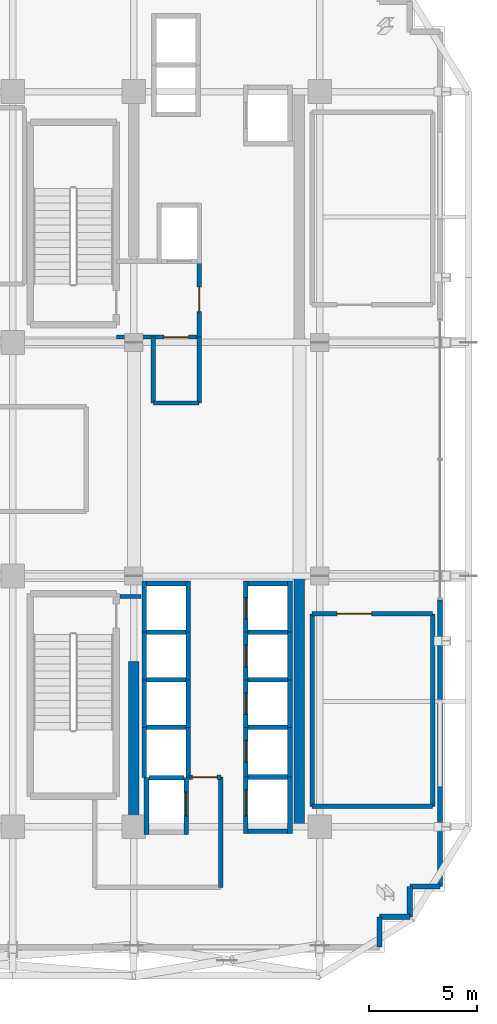
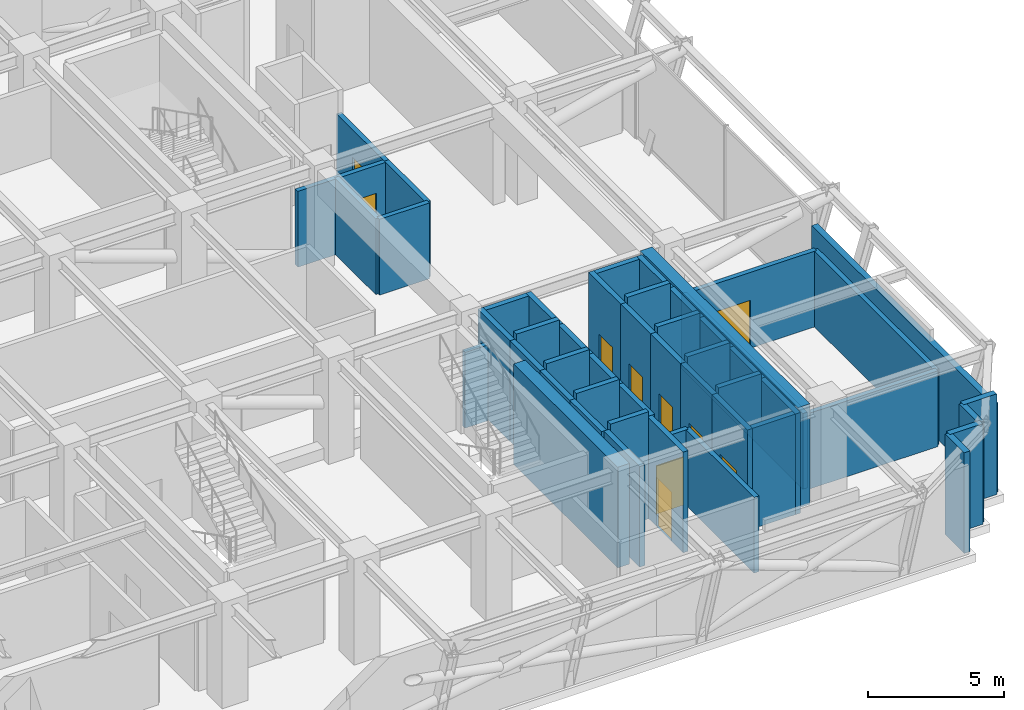
# One storey, part 10 of 16: 50 walls, 10 doors, 10 openings.
"""IFC4 building model written with IfcOpenShell, lengths in metres."""

import ifcopenshell
import ifcopenshell.guid

model = None  # the IFC model being written
_history = None  # IfcOwnerHistory: only IFC2X3 demands one
_inside = {}  # id of a spatial element -> (the spatial element, [elements in it])
_under = {}  # id of a project, library or spatial element -> (it, [spatial elements below it])
_declared = {}  # id of a project -> (the project, [libraries it declares])
_typed = {}  # id of a type object -> (the type object, [elements of that type])
_made_of = {}  # id of a material, layer set ... -> (it, [elements and type objects made of it])


def new_model(schema):
    """Start an empty IFC model of exactly this schema.

    Asked for "IFC4X3", IfcOpenShell would pick the latest addendum, in which some entities
    have other attributes; the version numbers below select the first issue.
    IFC2X3 requires an IfcOwnerHistory on every rooted entity: one is made here for all.
    """
    global model, _history
    if schema == "IFC4X3":
        model = ifcopenshell.file(schema_version=(4, 3, 0, 0))
    else:
        model = ifcopenshell.file(schema=schema)
    _inside.clear()
    _under.clear()
    _declared.clear()
    _typed.clear()
    _made_of.clear()
    _history = None
    if model.schema == "IFC2X3":
        org = make("IfcOrganization", Name="unknown")
        user = make(
            "IfcPersonAndOrganization",
            ThePerson=make("IfcPerson", FamilyName="unknown"),
            TheOrganization=org,
        )
        app = make(
            "IfcApplication",
            ApplicationDeveloper=org,
            Version="unknown",
            ApplicationFullName="unknown",
            ApplicationIdentifier="unknown",
        )
        _history = make(
            "IfcOwnerHistory",
            OwningUser=user,
            OwningApplication=app,
            ChangeAction="ADDED",
            CreationDate=0,
        )
    return model


def make(cls, **values):
    """One entity of the class cls with the attributes given. An attribute that is None is left unset."""
    return model.create_entity(
        cls, **{name: value for name, value in values.items() if value is not None}
    )


def rooted(cls, **values):
    """An entity with a GlobalId (a new one), such as an element, a storey or a relation."""
    return make(cls, GlobalId=ifcopenshell.guid.new(), OwnerHistory=_history, **values)


def si_unit(unit_type, name, prefix=None):
    """IfcSIUnit, for example si_unit("LENGTHUNIT", "METRE", prefix="MILLI")."""
    return make("IfcSIUnit", UnitType=unit_type, Prefix=prefix, Name=name)


def assignment(units):
    """IfcUnitAssignment: the units of a project."""
    return None if units is None else make("IfcUnitAssignment", Units=units)


def point(xyz):
    """IfcCartesianPoint."""
    return None if xyz is None else make("IfcCartesianPoint", Coordinates=xyz)


def direction(xyz):
    """IfcDirection."""
    return None if xyz is None else make("IfcDirection", DirectionRatios=xyz)


def frame(location, z_axis=None, x_axis=None):
    """IfcAxis2Placement3D, a coordinate frame: its origin and axes. An axis left out is left unset."""
    return make(
        "IfcAxis2Placement3D",
        Location=point(location),
        Axis=direction(z_axis),
        RefDirection=direction(x_axis),
    )


def frame_2d(location, x_axis=None):
    """IfcAxis2Placement2D, a coordinate frame in the plane: its origin and x axis."""
    return make(
        "IfcAxis2Placement2D", Location=point(location), RefDirection=direction(x_axis)
    )


def origin():
    """The frame at (0, 0, 0) with its axes left unset."""
    return frame((0.0, 0.0, 0.0))


def place(relative_to, where):
    """IfcLocalPlacement: puts the frame where relative to a parent placement (None: the world)."""
    return make(
        "IfcLocalPlacement", PlacementRelTo=relative_to, RelativePlacement=where
    )


def context(
    kind, dimensions, precision=None, world=None, true_north=None, identifier=None
):
    """IfcGeometricRepresentationContext, for example the 3D "Model" context."""
    return make(
        "IfcGeometricRepresentationContext",
        ContextIdentifier=identifier,
        ContextType=kind,
        CoordinateSpaceDimension=dimensions,
        Precision=precision,
        WorldCoordinateSystem=world,
        TrueNorth=true_north,
    )


def subcontext(parent, identifier, kind, view, scale=None):
    """IfcGeometricRepresentationSubContext, for example "Body" below "Model"."""
    return make(
        "IfcGeometricRepresentationSubContext",
        ContextIdentifier=identifier,
        ContextType=kind,
        ParentContext=parent,
        TargetScale=scale,
        TargetView=view,
    )


def project(units=None, contexts=None):
    """IfcProject with its units and contexts."""
    return rooted(
        "IfcProject",
        Name="project",
        RepresentationContexts=contexts,
        UnitsInContext=assignment(units),
    )


def spatial(cls, under=None, at=None, **own):
    """A site, building, storey or space (cls), placed at a placement, below another one or the project."""
    s = rooted(cls, ObjectPlacement=at, **own)
    if under is not None:
        _under.setdefault(under.id(), (under, []))[1].append(s)
    return s


def profile(cls, at=None, kind="AREA", **sizes):
    """A parametric profile (cls). Its sizes go by their IFC names, for example OverallWidth=200.0."""
    return make(cls, ProfileType=kind, Position=at, **sizes)


def rectangle(**sizes):
    """IfcRectangleProfileDef."""
    return profile("IfcRectangleProfileDef", **sizes)


def extrude(swept, where, along, depth):
    """IfcExtrudedAreaSolid: the profile swept, set in the frame where, extruded along a direction by depth."""
    return make(
        "IfcExtrudedAreaSolid",
        SweptArea=swept,
        Position=where,
        ExtrudedDirection=direction(along),
        Depth=depth,
    )


def shape(context_of_items, identifier, shape_type, items):
    """IfcShapeRepresentation: the items that make up one representation, for example the "Body"."""
    return make(
        "IfcShapeRepresentation",
        ContextOfItems=context_of_items,
        RepresentationIdentifier=identifier,
        RepresentationType=shape_type,
        Items=items,
    )


def source(mapping_origin, context_of_items, identifier, shape_type, items):
    """IfcRepresentationMap: a shape defined once, which mapped items show again and again."""
    return make(
        "IfcRepresentationMap",
        MappingOrigin=mapping_origin,
        MappedRepresentation=shape(context_of_items, identifier, shape_type, items),
    )


def transform(
    local_origin,
    x_axis=None,
    y_axis=None,
    z_axis=None,
    scale=None,
    scale2=None,
    scale3=None,
    uniform=True,
):
    """IfcCartesianTransformationOperator3D, or its non-uniform kind. x_axis, y_axis, z_axis: its Axis1, 2, 3."""
    if uniform:
        return make(
            "IfcCartesianTransformationOperator3D",
            Axis1=direction(x_axis),
            Axis2=direction(y_axis),
            LocalOrigin=point(local_origin),
            Scale=scale,
            Axis3=direction(z_axis),
        )
    return make(
        "IfcCartesianTransformationOperator3DnonUniform",
        Axis1=direction(x_axis),
        Axis2=direction(y_axis),
        LocalOrigin=point(local_origin),
        Scale=scale,
        Axis3=direction(z_axis),
        Scale2=scale2,
        Scale3=scale3,
    )


def mapped(mapping_source, mapping_target):
    """IfcMappedItem: shows the shape of a source again, moved by a transform."""
    return make(
        "IfcMappedItem", MappingSource=mapping_source, MappingTarget=mapping_target
    )


def material(Name=None, Category=None):
    """IfcMaterial."""
    return make("IfcMaterial", Name=Name, Category=Category)


def layer(
    of_material, thickness, ventilated=None, Name=None, Category=None, Priority=None
):
    """IfcMaterialLayer: one layer of a wall or slab, of a material (None: an air gap)."""
    return make(
        "IfcMaterialLayer",
        Material=of_material,
        LayerThickness=thickness,
        IsVentilated=ventilated,
        Name=Name,
        Category=Category,
        Priority=Priority,
    )


def layer_set(layers, Name=None):
    """IfcMaterialLayerSet."""
    return make("IfcMaterialLayerSet", MaterialLayers=layers, LayerSetName=Name)


def made_of(thing, what):
    """Note that an element or type object is made of a material, layer set ...; save() writes the relation."""
    if what is not None:
        _made_of.setdefault(what.id(), (what, []))[1].append(thing)
    return thing


def type_object(cls, material=None, **own):
    """A type object (cls), such as IfcWallType, which elements share."""
    return made_of(rooted(cls, **own), material)


def element(
    cls,
    number,
    at=None,
    inside=None,
    cuts=None,
    type_object=None,
    material=None,
    context=None,
    identifier="Body",
    shape_type=None,
    held_by="IfcProductDefinitionShape",
    body=None,
    shapes=None,
    **own,
):
    """One element of the class cls, such as IfcWall. Its Tag is "e" and its number.

    at: its placement. inside: the storey or other place that contains it. cuts: it is an
    opening in that element (IfcRelVoidsElement). A single representation is given by context,
    identifier, shape_type and body (its items); several are given by shapes. held_by: the class
    of the entity that holds the representations. save() writes the other relations.
    """
    e = rooted(cls, Tag="e%d" % number, ObjectPlacement=at, **own)
    if body is not None:
        shapes = [shape(context, identifier, shape_type, body)]
    if shapes is not None:
        e.Representation = make(held_by, Representations=shapes)
    if inside is not None:
        _inside.setdefault(inside.id(), (inside, []))[1].append(e)
    if cuts is not None:
        rooted(
            "IfcRelVoidsElement", RelatingBuildingElement=cuts, RelatedOpeningElement=e
        )
    if type_object is not None:
        _typed.setdefault(type_object.id(), (type_object, []))[1].append(e)
    return made_of(e, material)


def fill(opening, filler):
    """IfcRelFillsElement: the door or window that sits in an opening."""
    return rooted(
        "IfcRelFillsElement",
        RelatingOpeningElement=opening,
        RelatedBuildingElement=filler,
    )


def aggregate(whole, parts):
    """IfcRelAggregates: a whole, such as a stair, and the parts it consists of."""
    return rooted("IfcRelAggregates", RelatingObject=whole, RelatedObjects=parts)


def save(model, path):
    """Write the relations noted so far, then the file.

    IfcRelAggregates (storeys below a building ...), IfcRelContainedInSpatialStructure (elements
    in a storey), IfcRelDefinesByType, IfcRelAssociatesMaterial and IfcRelDeclares: one each for
    every whole, place, type object, material and project.
    """
    for whole, parts in _under.values():
        aggregate(whole, parts)
    for where, things in _inside.values():
        rooted(
            "IfcRelContainedInSpatialStructure",
            RelatedElements=things,
            RelatingStructure=where,
        )
    for kind, things in _typed.values():
        rooted("IfcRelDefinesByType", RelatedObjects=things, RelatingType=kind)
    for what, things in _made_of.values():
        rooted("IfcRelAssociatesMaterial", RelatedObjects=things, RelatingMaterial=what)
    for by, libraries in _declared.values():
        rooted("IfcRelDeclares", RelatingContext=by, RelatedDefinitions=libraries)
    model.write(path)


model = new_model("IFC4")

# Units and contexts
model_context = context("Model", 3, precision=1e-05, world=origin(), true_north=direction((0.0, 1.0)))
body_context = subcontext(model_context, "Body", "Model", "MODEL_VIEW")
ifc_project = project(units=[si_unit("LENGTHUNIT", "METRE"), si_unit("AREAUNIT", "SQUARE_METRE"), si_unit("VOLUMEUNIT", "CUBIC_METRE"), si_unit("PLANEANGLEUNIT", "RADIAN"), si_unit("MASSUNIT", "GRAM", prefix="KILO")], contexts=[model_context])

# Site, building, storey
site_placement = place(None, origin())
site = spatial("IfcSite", under=ifc_project, at=site_placement, CompositionType="ELEMENT")
building_placement = place(site_placement, origin())
building = spatial("IfcBuilding", under=site, at=building_placement, Name="Nahalor Promenade Grand Hotel", CompositionType="ELEMENT")
storey_placement = place(building_placement, frame((0.0, 0.0, 200.10009765625)))
storey = spatial("IfcBuildingStorey", under=building, at=storey_placement, Name="L51", CompositionType="ELEMENT", Elevation=200.10009765625)

# Walls
ifc_material_1 = material(Name="Concrete B-60 (C50/60)", Category="concrete")
ifc_layer_1 = layer(ifc_material_1, 0.5)
ifc_layer_set_1 = layer_set([ifc_layer_1], Name="Concrete B-60 (C50/60)")
wall_type_1 = type_object("IfcWallType", Name="Wall-CoreShear-500", PredefinedType="SHEAR", material=ifc_layer_set_1)
shared_shape_1 = source(origin(), body_context, "Body", "SweptSolid", [
    extrude(rectangle(XDim=7.64990234375, YDim=0.5, at=frame_2d((3.824951171875, 0.0))), origin(), (0.0, 0.0, 1.0), 4.510009765625),
])
wall_1_placement = place(storey_placement, frame((8.39990234375, -17.0, 0.0), z_axis=(0.0, 0.0, 1.0), x_axis=(0.0, 1.0, 0.0)))
element("IfcWall", 1, at=wall_1_placement, inside=storey, type_object=wall_type_1, Name="CWALL-L51-SW", PredefinedType="SHEAR", context=body_context, shape_type="MappedRepresentation", body=[
    mapped(shared_shape_1, transform((0.0, 0.0, 0.0), scale=1.0)),
])
shared_shape_2 = source(origin(), body_context, "Body", "SweptSolid", [
    extrude(rectangle(XDim=11.60009765625, YDim=0.5, at=frame_2d((5.800048828125, 0.0))), origin(), (0.0, 0.0, 1.0), 4.510009765625),
])
wall_2_placement = place(storey_placement, frame((16.050048828125, -17.0, 0.0), z_axis=(0.0, 0.0, 1.0), x_axis=(0.0, 1.0, 0.0)))
element("IfcWall", 2, at=wall_2_placement, inside=storey, type_object=wall_type_1, Name="CWALL-L51-SE", PredefinedType="SHEAR", context=body_context, shape_type="MappedRepresentation", body=[
    mapped(shared_shape_2, transform((0.0, 0.0, 0.0), scale=1.0)),
])

# Wall, opening, door
ifc_material_2 = material(Name="Concrete B-50 (C40/50)", Category="concrete")
ifc_layer_2 = layer(ifc_material_2, 0.219970703125)
ifc_layer_set_2 = layer_set([ifc_layer_2], Name="Concrete B-50 (C40/50)")
wall_type_2 = type_object("IfcWallType", Name="Wall-LiftShaft-220", PredefinedType="SHEAR", material=ifc_layer_set_2)
shared_shape_3 = source(origin(), body_context, "Body", "SweptSolid", [
    extrude(rectangle(XDim=2.360107421875, YDim=0.219970703125, at=frame_2d((1.18017578125, 0.0))), origin(), (0.0, 0.0, 1.0), 4.510009765625),
])
wall_3_placement = place(storey_placement, frame((13.580078125, -8.0, 0.0), z_axis=(0.0, 0.0, 1.0), x_axis=(0.0, 1.0, 0.0)))
wall_3 = element("IfcWall", 3, at=wall_3_placement, inside=storey, type_object=wall_type_2, Name="L51 Lift PL5 Hoistway Wall W", PredefinedType="SHEAR", context=body_context, shape_type="MappedRepresentation", body=[
    mapped(shared_shape_3, transform((0.0, 0.0, 0.0), scale=1.0)),
])
opening_1_placement = place(wall_3_placement, frame((0.60009765625, 0.0, 0.0)))
opening_1 = element("IfcOpeningElement", 4, at=opening_1_placement, cuts=wall_3, Name="Opening LD-01", PredefinedType="OPENING", context=body_context, shape_type="SweptSolid", body=[
    extrude(rectangle(XDim=1.0, YDim=2.199951171875, at=frame_2d((0.5, 1.10009765625))), frame((0.0, 0.119873046875, 0.0), z_axis=(0.0, -1.0, 0.0), x_axis=(1.0, 0.0, 0.0)), (0.0, 0.0, 1.0), 0.239990234375),
])
ifc_material_3 = material(Name="Steel S355JR", Category="steel")
door_type_1 = type_object("IfcDoorType", Name="Door-LiftLanding-1000", OperationType="DOUBLE_DOOR_SLIDING", PredefinedType="DOOR", material=ifc_material_3)
shared_shape_4 = source(origin(), body_context, "Body", "SweptSolid", [
    extrude(rectangle(XDim=1.0, YDim=2.199951171875, at=frame_2d((0.5, 1.10009765625))), frame((0.0, 0.02490234375, 0.0), z_axis=(0.0, -1.0, 0.0), x_axis=(1.0, 0.0, 0.0)), (0.0, 0.0, 1.0), 0.050048828125),
])
door_1_placement = place(opening_1_placement, origin())
door_1 = element("IfcDoor", 5, at=door_1_placement, inside=storey, type_object=door_type_1, Name="DR-LIFT-PL5-L51", OperationType="DOUBLE_DOOR_SLIDING", OverallHeight=2.199951171875, OverallWidth=1.0, PredefinedType="DOOR", context=body_context, shape_type="MappedRepresentation", body=[
    mapped(shared_shape_4, transform((0.0, 0.0, 0.0), scale=1.0)),
])
fill(opening_1, door_1)

# Walls
for number, where, z_axis, x_axis, name in (
    (6, (15.6201171875, -8.0, 0.0), (0.0, 0.0, 1.0), (0.0, 1.0, 0.0), "L51 Lift PL5 Hoistway Wall E"),
    (7, (8.8798828125, -8.0, 0.0), (0.0, 0.0, 1.0), (0.0, 1.0, 0.0), "L51 Lift PL9 Hoistway Wall W"),
    (8, (10.919921875, -8.0, 0.0), (0.0, 0.0, 1.0), (0.0, 1.0, 0.0), "L51 Lift PL9 Hoistway Wall E"),
):
    element("IfcWall", number, at=place(storey_placement, frame(where, z_axis=z_axis, x_axis=x_axis)), inside=storey, type_object=wall_type_2, Name=name, PredefinedType="SHEAR", context=body_context, shape_type="MappedRepresentation", body=[
        mapped(shared_shape_3, transform((0.0, 0.0, 0.0), scale=1.0)),
    ])
shared_shape_5 = source(origin(), body_context, "Body", "SweptSolid", [
    extrude(rectangle(XDim=1.820068359375, YDim=0.219970703125, at=frame_2d((0.91015625, 0.0))), origin(), (0.0, 0.0, 1.0), 4.510009765625),
])
for number, where, z_axis, x_axis, name in (
    (9, (13.68994140625, -5.75, 0.0), (0.0, 0.0, 1.0), (1.0, 0.0, 0.0), "L51 Lift PL5 Hoistway Wall N"),
    (10, (8.989990234375, -5.75, 0.0), (0.0, 0.0, 1.0), (1.0, 0.0, 0.0), "L51 Lift PL9 Hoistway Wall N"),
    (11, (13.68994140625, -17.199951171875, 0.0), (0.0, 0.0, 1.0), (1.0, 0.0, 0.0), "L51 Lift SV2 Hoistway Wall S"),
):
    element("IfcWall", number, at=place(storey_placement, frame(where, z_axis=z_axis, x_axis=x_axis)), inside=storey, type_object=wall_type_2, Name=name, PredefinedType="SHEAR", context=body_context, shape_type="MappedRepresentation", body=[
        mapped(shared_shape_5, transform((0.0, 0.0, 0.0), scale=1.0)),
    ])

# Wall, opening, door
shared_shape_6 = source(origin(), body_context, "Body", "SweptSolid", [
    extrude(rectangle(XDim=2.199951171875, YDim=0.219970703125, at=frame_2d((1.10009765625, 0.0))), origin(), (0.0, 0.0, 1.0), 4.510009765625),
])
wall_4_placement = place(storey_placement, frame((13.580078125, -10.199951171875, 0.0), z_axis=(0.0, 0.0, 1.0), x_axis=(0.0, 1.0, 0.0)))
wall_4 = element("IfcWall", 12, at=wall_4_placement, inside=storey, type_object=wall_type_2, Name="L51 Lift PL6 Hoistway Wall W", PredefinedType="SHEAR", context=body_context, shape_type="MappedRepresentation", body=[
    mapped(shared_shape_6, transform((0.0, 0.0, 0.0), scale=1.0)),
])
opening_2_placement = place(wall_4_placement, frame((0.60009765625, 0.0, 0.0)))
opening_2 = element("IfcOpeningElement", 13, at=opening_2_placement, cuts=wall_4, Name="Opening LD-01", PredefinedType="OPENING", context=body_context, shape_type="SweptSolid", body=[
    extrude(rectangle(XDim=1.0, YDim=2.199951171875, at=frame_2d((0.5, 1.10009765625))), frame((0.0, 0.119873046875, 0.0), z_axis=(0.0, -1.0, 0.0), x_axis=(1.0, 0.0, 0.0)), (0.0, 0.0, 1.0), 0.239990234375),
])
door_2_placement = place(opening_2_placement, origin())
door_2 = element("IfcDoor", 14, at=door_2_placement, inside=storey, type_object=door_type_1, Name="DR-LIFT-PL6-L51", OperationType="DOUBLE_DOOR_SLIDING", OverallHeight=2.199951171875, OverallWidth=1.0, PredefinedType="DOOR", context=body_context, shape_type="MappedRepresentation", body=[
    mapped(shared_shape_4, transform((0.0, 0.0, 0.0), scale=1.0)),
])
fill(opening_2, door_2)

# Wall
wall_5_placement = place(storey_placement, frame((15.6201171875, -10.199951171875, 0.0), z_axis=(0.0, 0.0, 1.0), x_axis=(0.0, 1.0, 0.0)))
element("IfcWall", 15, at=wall_5_placement, inside=storey, type_object=wall_type_2, Name="L51 Lift PL6 Hoistway Wall E", PredefinedType="SHEAR", context=body_context, shape_type="MappedRepresentation", body=[
    mapped(shared_shape_6, transform((0.0, 0.0, 0.0), scale=1.0)),
])

# Wall, opening, door
wall_6_placement = place(storey_placement, frame((13.580078125, -12.39990234375, 0.0), z_axis=(0.0, 0.0, 1.0), x_axis=(0.0, 1.0, 0.0)))
wall_6 = element("IfcWall", 16, at=wall_6_placement, inside=storey, type_object=wall_type_2, Name="L51 Lift PL7 Hoistway Wall W", PredefinedType="SHEAR", context=body_context, shape_type="MappedRepresentation", body=[
    mapped(shared_shape_6, transform((0.0, 0.0, 0.0), scale=1.0)),
])
opening_3_placement = place(wall_6_placement, frame((0.60009765625, 0.0, 0.0)))
opening_3 = element("IfcOpeningElement", 17, at=opening_3_placement, cuts=wall_6, Name="Opening LD-01", PredefinedType="OPENING", context=body_context, shape_type="SweptSolid", body=[
    extrude(rectangle(XDim=1.0, YDim=2.199951171875, at=frame_2d((0.5, 1.10009765625))), frame((0.0, 0.119873046875, 0.0), z_axis=(0.0, -1.0, 0.0), x_axis=(1.0, 0.0, 0.0)), (0.0, 0.0, 1.0), 0.239990234375),
])
door_3_placement = place(opening_3_placement, origin())
door_3 = element("IfcDoor", 18, at=door_3_placement, inside=storey, type_object=door_type_1, Name="DR-LIFT-PL7-L51", OperationType="DOUBLE_DOOR_SLIDING", OverallHeight=2.199951171875, OverallWidth=1.0, PredefinedType="DOOR", context=body_context, shape_type="MappedRepresentation", body=[
    mapped(shared_shape_4, transform((0.0, 0.0, 0.0), scale=1.0)),
])
fill(opening_3, door_3)

# Walls
for number, where, z_axis, x_axis, name in (
    (19, (15.6201171875, -12.39990234375, 0.0), (0.0, 0.0, 1.0), (0.0, 1.0, 0.0), "L51 Lift PL7 Hoistway Wall E"),
    (20, (8.8798828125, -10.199951171875, 0.0), (0.0, 0.0, 1.0), (0.0, 1.0, 0.0), "L51 Lift PL10 Hoistway Wall W"),
    (21, (10.919921875, -10.199951171875, 0.0), (0.0, 0.0, 1.0), (0.0, 1.0, 0.0), "L51 Lift PL10 Hoistway Wall E"),
    (22, (8.8798828125, -12.39990234375, 0.0), (0.0, 0.0, 1.0), (0.0, 1.0, 0.0), "L51 Lift PL11 Hoistway Wall W"),
    (23, (10.919921875, -12.39990234375, 0.0), (0.0, 0.0, 1.0), (0.0, 1.0, 0.0), "L51 Lift PL11 Hoistway Wall E"),
):
    element("IfcWall", number, at=place(storey_placement, frame(where, z_axis=z_axis, x_axis=x_axis)), inside=storey, type_object=wall_type_2, Name=name, PredefinedType="SHEAR", context=body_context, shape_type="MappedRepresentation", body=[
        mapped(shared_shape_6, transform((0.0, 0.0, 0.0), scale=1.0)),
    ])
shared_shape_7 = source(origin(), body_context, "Body", "SweptSolid", [
    extrude(rectangle(XDim=1.820068359375, YDim=0.219970703125, at=frame_2d((0.91015625, 0.0))), origin(), (0.0, 0.0, 1.0), 4.7998046875),
])
for number, where, z_axis, x_axis, name in (
    (24, (13.68994140625, -8.0, 0.0), (0.0, 0.0, 1.0), (1.0, 0.0, 0.0), "L51 Lift PL6 Hoistway Wall N"),
    (25, (13.68994140625, -10.199951171875, 0.0), (0.0, 0.0, 1.0), (1.0, 0.0, 0.0), "L51 Lift PL7 Hoistway Wall N"),
    (26, (13.68994140625, -12.39990234375, 0.0), (0.0, 0.0, 1.0), (1.0, 0.0, 0.0), "L51 Lift PL8 Hoistway Wall N"),
    (27, (8.989990234375, -8.0, 0.0), (0.0, 0.0, 1.0), (1.0, 0.0, 0.0), "L51 Lift PL10 Hoistway Wall N"),
    (28, (8.989990234375, -10.199951171875, 0.0), (0.0, 0.0, 1.0), (1.0, 0.0, 0.0), "L51 Lift PL11 Hoistway Wall N"),
    (29, (8.989990234375, -12.39990234375, 0.0), (0.0, 0.0, 1.0), (1.0, 0.0, 0.0), "L51 Lift PL12 Hoistway Wall N"),
    (30, (13.68994140625, -14.699951171875, 0.0), (0.0, 0.0, 1.0), (1.0, 0.0, 0.0), "L51 Lift SV2 Hoistway Wall N"),
):
    element("IfcWall", number, at=place(storey_placement, frame(where, z_axis=z_axis, x_axis=x_axis)), inside=storey, type_object=wall_type_2, Name=name, PredefinedType="SHEAR", context=body_context, shape_type="MappedRepresentation", body=[
        mapped(shared_shape_7, transform((0.0, 0.0, 0.0), scale=1.0)),
    ])

# Wall, opening, door
shared_shape_8 = source(origin(), body_context, "Body", "SweptSolid", [
    extrude(rectangle(XDim=2.300048828125, YDim=0.219970703125, at=frame_2d((1.14990234375, 0.0))), origin(), (0.0, 0.0, 1.0), 4.510009765625),
])
wall_7_placement = place(storey_placement, frame((13.580078125, -14.699951171875, 0.0), z_axis=(0.0, 0.0, 1.0), x_axis=(0.0, 1.0, 0.0)))
wall_7 = element("IfcWall", 31, at=wall_7_placement, inside=storey, type_object=wall_type_2, Name="L51 Lift PL8 Hoistway Wall W", PredefinedType="SHEAR", context=body_context, shape_type="MappedRepresentation", body=[
    mapped(shared_shape_8, transform((0.0, 0.0, 0.0), scale=1.0)),
])
opening_4_placement = place(wall_7_placement, frame((0.699951171875, 0.0, 0.0)))
opening_4 = element("IfcOpeningElement", 32, at=opening_4_placement, cuts=wall_7, Name="Opening LD-01", PredefinedType="OPENING", context=body_context, shape_type="SweptSolid", body=[
    extrude(rectangle(XDim=1.0, YDim=2.199951171875, at=frame_2d((0.5, 1.10009765625))), frame((0.0, 0.119873046875, 0.0), z_axis=(0.0, -1.0, 0.0), x_axis=(1.0, 0.0, 0.0)), (0.0, 0.0, 1.0), 0.239990234375),
])
door_4_placement = place(opening_4_placement, origin())
door_4 = element("IfcDoor", 33, at=door_4_placement, inside=storey, type_object=door_type_1, Name="DR-LIFT-PL8-L51", OperationType="DOUBLE_DOOR_SLIDING", OverallHeight=2.199951171875, OverallWidth=1.0, PredefinedType="DOOR", context=body_context, shape_type="MappedRepresentation", body=[
    mapped(shared_shape_4, transform((0.0, 0.0, 0.0), scale=1.0)),
])
fill(opening_4, door_4)

# Walls
wall_8_placement = place(storey_placement, frame((15.6201171875, -14.699951171875, 0.0), z_axis=(0.0, 0.0, 1.0), x_axis=(0.0, 1.0, 0.0)))
element("IfcWall", 34, at=wall_8_placement, inside=storey, type_object=wall_type_2, Name="L51 Lift PL8 Hoistway Wall E", PredefinedType="SHEAR", context=body_context, shape_type="MappedRepresentation", body=[
    mapped(shared_shape_8, transform((0.0, 0.0, 0.0), scale=1.0)),
])
shared_shape_9 = source(origin(), body_context, "Body", "SweptSolid", [
    extrude(rectangle(XDim=2.3251953125, YDim=0.219970703125, at=frame_2d((1.16259765625, 0.0))), origin(), (0.0, 0.0, 1.0), 4.510009765625),
])
for number, where, z_axis, x_axis, name in (
    (35, (8.8798828125, -14.72509765625, 0.0), (0.0, 0.0, 1.0), (0.0, 1.0, 0.0), "L51 Lift PL12 Hoistway Wall W"),
    (36, (10.919921875, -14.72509765625, 0.0), (0.0, 0.0, 1.0), (0.0, 1.0, 0.0), "L51 Lift PL12 Hoistway Wall E"),
):
    element("IfcWall", number, at=place(storey_placement, frame(where, z_axis=z_axis, x_axis=x_axis)), inside=storey, type_object=wall_type_2, Name=name, PredefinedType="SHEAR", context=body_context, shape_type="MappedRepresentation", body=[
        mapped(shared_shape_9, transform((0.0, 0.0, 0.0), scale=1.0)),
    ])
shared_shape_10 = source(origin(), body_context, "Body", "SweptSolid", [
    extrude(rectangle(XDim=2.635009765625, YDim=0.219970703125, at=frame_2d((1.3173828125, 0.0))), origin(), (0.0, 0.0, 1.0), 4.510009765625),
])
wall_9_placement = place(storey_placement, frame((8.97998046875, -17.360107421875, 0.0), z_axis=(0.0, 0.0, 1.0), x_axis=(0.0, 1.0, 0.0)))
element("IfcWall", 37, at=wall_9_placement, inside=storey, type_object=wall_type_2, Name="L51 Lift FL2 Hoistway Wall W", PredefinedType="SHEAR", context=body_context, shape_type="MappedRepresentation", body=[
    mapped(shared_shape_10, transform((0.0, 0.0, 0.0), scale=1.0)),
])

# Wall, opening, door
wall_10_placement = place(storey_placement, frame((10.820068359375, -17.360107421875, 0.0), z_axis=(0.0, 0.0, 1.0), x_axis=(0.0, 1.0, 0.0)))
wall_10 = element("IfcWall", 38, at=wall_10_placement, inside=storey, type_object=wall_type_2, Name="L51 Lift FL2 Hoistway Wall E", PredefinedType="SHEAR", context=body_context, shape_type="MappedRepresentation", body=[
    mapped(shared_shape_10, transform((0.0, 0.0, 0.0), scale=1.0)),
])
opening_5_placement = place(wall_10_placement, frame((0.860107421875, 0.0, 0.0)))
opening_5 = element("IfcOpeningElement", 39, at=opening_5_placement, cuts=wall_10, Name="Opening LD-02", PredefinedType="OPENING", context=body_context, shape_type="SweptSolid", body=[
    extrude(rectangle(XDim=1.10009765625, YDim=2.199951171875, at=frame_2d((0.550048828125, 1.10009765625))), frame((0.0, 0.119873046875, 0.0), z_axis=(0.0, -1.0, 0.0), x_axis=(1.0, 0.0, 0.0)), (0.0, 0.0, 1.0), 0.239990234375),
])
door_type_2 = type_object("IfcDoorType", Name="Door-LiftFF-1100", OperationType="DOUBLE_DOOR_SLIDING", PredefinedType="DOOR", material=ifc_material_3)
shared_shape_11 = source(origin(), body_context, "Body", "SweptSolid", [
    extrude(rectangle(XDim=1.10009765625, YDim=2.199951171875, at=frame_2d((0.550048828125, 1.10009765625))), frame((0.0, 0.02490234375, 0.0), z_axis=(0.0, -1.0, 0.0), x_axis=(1.0, 0.0, 0.0)), (0.0, 0.0, 1.0), 0.050048828125),
])
door_5_placement = place(opening_5_placement, frame((1.10009765625, 0.0, 0.0), z_axis=(0.0, 0.0, 1.0), x_axis=(-1.0, 0.0, 0.0)))
door_5 = element("IfcDoor", 40, at=door_5_placement, inside=storey, type_object=door_type_2, Name="DR-LIFT-FL2-L51", OperationType="DOUBLE_DOOR_SLIDING", OverallHeight=2.199951171875, OverallWidth=1.10009765625, PredefinedType="DOOR", context=body_context, shape_type="MappedRepresentation", body=[
    mapped(shared_shape_11, transform((0.0, 0.0, 0.0), scale=1.0)),
])
fill(opening_5, door_5)

# Wall
shared_shape_12 = source(origin(), body_context, "Body", "SweptSolid", [
    extrude(rectangle(XDim=1.619873046875, YDim=0.219970703125, at=frame_2d((0.81005859375, 0.0))), origin(), (0.0, 0.0, 1.0), 4.7998046875),
])
wall_11_placement = place(storey_placement, frame((9.090087890625, -14.72509765625, 0.0), z_axis=(0.0, 0.0, 1.0), x_axis=(1.0, 0.0, 0.0)))
element("IfcWall", 41, at=wall_11_placement, inside=storey, type_object=wall_type_2, Name="L51 Lift FL2 Hoistway Wall N", PredefinedType="SHEAR", context=body_context, shape_type="MappedRepresentation", body=[
    mapped(shared_shape_12, transform((0.0, 0.0, 0.0), scale=1.0)),
])

# Wall, opening, door
shared_shape_13 = source(origin(), body_context, "Body", "SweptSolid", [
    extrude(rectangle(XDim=2.610107421875, YDim=0.219970703125, at=frame_2d((1.30517578125, 0.0))), origin(), (0.0, 0.0, 1.0), 4.510009765625),
])
wall_12_placement = place(storey_placement, frame((13.580078125, -17.31005859375, 0.0), z_axis=(0.0, 0.0, 1.0), x_axis=(0.0, 1.0, 0.0)))
wall_12 = element("IfcWall", 42, at=wall_12_placement, inside=storey, type_object=wall_type_2, Name="L51 Lift SV2 Hoistway Wall W", PredefinedType="SHEAR", context=body_context, shape_type="MappedRepresentation", body=[
    mapped(shared_shape_13, transform((0.0, 0.0, 0.0), scale=1.0)),
])
opening_6_placement = place(wall_12_placement, frame((0.81005859375, 0.0, 0.0)))
opening_6 = element("IfcOpeningElement", 43, at=opening_6_placement, cuts=wall_12, Name="Opening LD-03", PredefinedType="OPENING", context=body_context, shape_type="SweptSolid", body=[
    extrude(rectangle(XDim=1.199951171875, YDim=2.199951171875, at=frame_2d((0.60009765625, 1.10009765625))), frame((0.0, 0.119873046875, 0.0), z_axis=(0.0, -1.0, 0.0), x_axis=(1.0, 0.0, 0.0)), (0.0, 0.0, 1.0), 0.239990234375),
])
door_type_3 = type_object("IfcDoorType", Name="Door-LiftService-1200", OperationType="DOUBLE_DOOR_SLIDING", PredefinedType="DOOR", material=ifc_material_3)
shared_shape_14 = source(origin(), body_context, "Body", "SweptSolid", [
    extrude(rectangle(XDim=1.199951171875, YDim=2.199951171875, at=frame_2d((0.60009765625, 1.10009765625))), frame((0.0, 0.02490234375, 0.0), z_axis=(0.0, -1.0, 0.0), x_axis=(1.0, 0.0, 0.0)), (0.0, 0.0, 1.0), 0.050048828125),
])
door_6_placement = place(opening_6_placement, origin())
door_6 = element("IfcDoor", 44, at=door_6_placement, inside=storey, type_object=door_type_3, Name="DR-LIFT-SV2-L51", OperationType="DOUBLE_DOOR_SLIDING", OverallHeight=2.199951171875, OverallWidth=1.199951171875, PredefinedType="DOOR", context=body_context, shape_type="MappedRepresentation", body=[
    mapped(shared_shape_14, transform((0.0, 0.0, 0.0), scale=1.0)),
])
fill(opening_6, door_6)

# Walls
wall_13_placement = place(storey_placement, frame((15.6201171875, -17.31005859375, 0.0), z_axis=(0.0, 0.0, 1.0), x_axis=(0.0, 1.0, 0.0)))
element("IfcWall", 45, at=wall_13_placement, inside=storey, type_object=wall_type_2, Name="L51 Lift SV2 Hoistway Wall E", PredefinedType="SHEAR", context=body_context, shape_type="MappedRepresentation", body=[
    mapped(shared_shape_13, transform((0.0, 0.0, 0.0), scale=1.0)),
])
ifc_material_4 = material(Name="Concrete B-40 (C32/40)", Category="concrete")
ifc_layer_3 = layer(ifc_material_4, 0.25)
ifc_layer_set_3 = layer_set([ifc_layer_3], Name="Concrete B-40 (C32/40)")
wall_type_3 = type_object("IfcWallType", Name="Wall-BronzePier-250", PredefinedType="STANDARD", material=ifc_layer_set_3)
shared_shape_15 = source(origin(), body_context, "Body", "SweptSolid", [
    extrude(rectangle(XDim=1.400146484375, YDim=0.25, at=frame_2d((0.7001953125, 0.0))), origin(), (0.0, 0.0, 1.0), 4.510009765625),
])
for number, where, z_axis, x_axis, name in (
    (46, (19.760009765625, -22.56005859375, 0.0), (0.0, 0.0, 1.0), (0.0, 1.0, 0.0), "W-L51-SR-01"),
    (47, (21.159912109375, -19.760009765625, 0.0), (0.0, 0.0, 1.0), (1.0, 0.0, 0.0), "W-L51-SR-04"),
):
    element("IfcWall", number, at=place(storey_placement, frame(where, z_axis=z_axis, x_axis=x_axis)), inside=storey, type_object=wall_type_3, Name=name, PredefinedType="STANDARD", context=body_context, shape_type="MappedRepresentation", body=[
        mapped(shared_shape_15, transform((0.0, 0.0, 0.0), scale=1.0)),
    ])
shared_shape_16 = source(origin(), body_context, "Body", "SweptSolid", [
    extrude(rectangle(XDim=1.39990234375, YDim=0.25, at=frame_2d((0.699951171875, 0.0))), origin(), (0.0, 0.0, 1.0), 4.510009765625),
])
for number, where, z_axis, x_axis, name in (
    (48, (19.760009765625, -21.159912109375, 0.0), (0.0, 0.0, 1.0), (1.0, 0.0, 0.0), "W-L51-SR-02"),
    (49, (21.159912109375, -21.159912109375, 0.0), (0.0, 0.0, 1.0), (0.0, 1.0, 0.0), "W-L51-SR-03"),
):
    element("IfcWall", number, at=place(storey_placement, frame(where, z_axis=z_axis, x_axis=x_axis)), inside=storey, type_object=wall_type_3, Name=name, PredefinedType="STANDARD", context=body_context, shape_type="MappedRepresentation", body=[
        mapped(shared_shape_16, transform((0.0, 0.0, 0.0), scale=1.0)),
    ])
shared_shape_17 = source(origin(), body_context, "Body", "SweptSolid", [
    extrude(rectangle(XDim=13.260009765625, YDim=0.25, at=frame_2d((6.6298828125, 0.0))), origin(), (0.0, 0.0, 1.0), 3.989990234375),
])
wall_14_placement = place(storey_placement, frame((22.56005859375, -19.760009765625, 0.0), z_axis=(0.0, 0.0, 1.0), x_axis=(0.0, 1.0, 0.0)))
element("IfcWall", 50, at=wall_14_placement, inside=storey, type_object=wall_type_3, Name="W-L51-PL-EL", PredefinedType="STANDARD", context=body_context, shape_type="MappedRepresentation", body=[
    mapped(shared_shape_17, transform((0.0, 0.0, 0.0), scale=1.0)),
])

# Wall, opening, door
ifc_layer_4 = layer(ifc_material_4, 0.199951171875)
ifc_layer_set_4 = layer_set([ifc_layer_4], Name="Concrete B-40 (C32/40)")
wall_type_4 = type_object("IfcWallType", Name="Wall-PartFire-200", PredefinedType="PARTITIONING", material=ifc_layer_set_4)
shared_shape_18 = source(origin(), body_context, "Body", "SweptSolid", [
    extrude(rectangle(XDim=3.81982421875, YDim=0.199951171875, at=frame_2d((1.909912109375, 0.0))), origin(), (0.0, 0.0, 1.0), 3.39990234375),
])
wall_15_placement = place(storey_placement, frame((7.60009765625, 5.64990234375, 0.0), z_axis=(0.0, 0.0, 1.0), x_axis=(1.0, 0.0, 0.0)))
wall_15 = element("IfcWall", 51, at=wall_15_placement, inside=storey, type_object=wall_type_4, Name="W-L51-FF1-S", PredefinedType="PARTITIONING", context=body_context, shape_type="MappedRepresentation", body=[
    mapped(shared_shape_18, transform((0.0, 0.0, 0.0), scale=1.0)),
])
opening_7_placement = place(wall_15_placement, frame((2.18505859375, 0.0, 0.0)))
opening_7 = element("IfcOpeningElement", 52, at=opening_7_placement, cuts=wall_15, Name="Opening D-FF1", PredefinedType="OPENING", context=body_context, shape_type="SweptSolid", body=[
    extrude(rectangle(XDim=1.14990234375, YDim=2.14990234375, at=frame_2d((0.574951171875, 1.074951171875))), frame((0.0, 0.10986328125, 0.0), z_axis=(0.0, -1.0, 0.0), x_axis=(1.0, 0.0, 0.0)), (0.0, 0.0, 1.0), 0.219970703125),
])
door_type_4 = type_object("IfcDoorType", Name="Door-FFLobby-1150", OperationType="NOTDEFINED", PredefinedType="DOOR", material=ifc_material_3)
shared_shape_19 = source(origin(), body_context, "Body", "SweptSolid", [
    extrude(rectangle(XDim=1.14990234375, YDim=2.14990234375, at=frame_2d((0.574951171875, 1.074951171875))), frame((0.0, 0.02490234375, 0.0), z_axis=(0.0, -1.0, 0.0), x_axis=(1.0, 0.0, 0.0)), (0.0, 0.0, 1.0), 0.050048828125),
])
door_7_placement = place(opening_7_placement, frame((1.14990234375, 0.0, 0.0), z_axis=(0.0, 0.0, 1.0), x_axis=(-1.0, 0.0, 0.0)))
door_7 = element("IfcDoor", 53, at=door_7_placement, inside=storey, type_object=door_type_4, Name="DR-L51-REF-FF1", OperationType="SINGLE_SWING_RIGHT", OverallHeight=2.14990234375, OverallWidth=1.14990234375, PredefinedType="DOOR", context=body_context, shape_type="MappedRepresentation", body=[
    mapped(shared_shape_19, transform((0.0, 0.0, 0.0), scale=1.0)),
])
fill(opening_7, door_7)

shared_shape_20 = source(origin(), body_context, "Body", "SweptSolid", [
    extrude(rectangle(XDim=3.5, YDim=0.199951171875, at=frame_2d((1.75, 0.0))), origin(), (0.0, 0.0, 1.0), 3.39990234375),
])
wall_16_placement = place(storey_placement, frame((11.419921875, 5.64990234375, 0.0), z_axis=(0.0, 0.0, 1.0), x_axis=(0.0, 1.0, 0.0)))
wall_16 = element("IfcWall", 54, at=wall_16_placement, inside=storey, type_object=wall_type_4, Name="W-L51-FF1-E", PredefinedType="PARTITIONING", context=body_context, shape_type="MappedRepresentation", body=[
    mapped(shared_shape_20, transform((0.0, 0.0, 0.0), scale=1.0)),
])
opening_8_placement = place(wall_16_placement, frame((1.175048828125, 0.0, 0.0)))
opening_8 = element("IfcOpeningElement", 55, at=opening_8_placement, cuts=wall_16, Name="Opening D-FF1", PredefinedType="OPENING", context=body_context, shape_type="SweptSolid", body=[
    extrude(rectangle(XDim=1.14990234375, YDim=2.14990234375, at=frame_2d((0.574951171875, 1.074951171875))), frame((0.0, 0.10986328125, 0.0), z_axis=(0.0, -1.0, 0.0), x_axis=(1.0, 0.0, 0.0)), (0.0, 0.0, 1.0), 0.219970703125),
])
door_8_placement = place(opening_8_placement, frame((1.14990234375, 0.0, 0.0), z_axis=(0.0, 0.0, 1.0), x_axis=(-1.0, 0.0, 0.0)))
door_8 = element("IfcDoor", 56, at=door_8_placement, inside=storey, type_object=door_type_4, Name="DR-L51-FFL1", OperationType="SINGLE_SWING_RIGHT", OverallHeight=2.14990234375, OverallWidth=1.14990234375, PredefinedType="DOOR", context=body_context, shape_type="MappedRepresentation", body=[
    mapped(shared_shape_19, transform((0.0, 0.0, 0.0), scale=1.0)),
])
fill(opening_8, door_8)

# Wall
shared_shape_21 = source(origin(), body_context, "Body", "SweptSolid", [
    extrude(rectangle(XDim=5.10009765625, YDim=0.199951171875, at=frame_2d((2.550048828125, 0.0))), origin(), (0.0, 0.0, 1.0), 3.39990234375),
])
wall_17_placement = place(storey_placement, frame((12.419921875, -19.800048828125, 0.0), z_axis=(0.0, 0.0, 1.0), x_axis=(0.0, 1.0, 0.0)))
element("IfcWall", 57, at=wall_17_placement, inside=storey, type_object=wall_type_4, Name="W-L51-FF2-E", PredefinedType="PARTITIONING", context=body_context, shape_type="MappedRepresentation", body=[
    mapped(shared_shape_21, transform((0.0, 0.0, 0.0), scale=1.0)),
])

# Wall, opening, door
shared_shape_22 = source(origin(), body_context, "Body", "SweptSolid", [
    extrude(rectangle(XDim=1.4599609375, YDim=0.199951171875, at=frame_2d((0.72998046875, 0.0))), origin(), (0.0, 0.0, 1.0), 3.39990234375),
])
wall_18_placement = place(storey_placement, frame((10.9599609375, -14.699951171875, 0.0), z_axis=(0.0, 0.0, 1.0), x_axis=(1.0, 0.0, 0.0)))
wall_18 = element("IfcWall", 58, at=wall_18_placement, inside=storey, type_object=wall_type_4, Name="W-L51-FF2-N1", PredefinedType="PARTITIONING", context=body_context, shape_type="MappedRepresentation", body=[
    mapped(shared_shape_22, transform((0.0, 0.0, 0.0), scale=1.0)),
])
opening_9_placement = place(wall_18_placement, frame((0.14501953125, 0.0, 0.0)))
opening_9 = element("IfcOpeningElement", 59, at=opening_9_placement, cuts=wall_18, Name="Opening D-FF1", PredefinedType="OPENING", context=body_context, shape_type="SweptSolid", body=[
    extrude(rectangle(XDim=1.14990234375, YDim=2.14990234375, at=frame_2d((0.574951171875, 1.074951171875))), frame((0.0, 0.10986328125, 0.0), z_axis=(0.0, -1.0, 0.0), x_axis=(1.0, 0.0, 0.0)), (0.0, 0.0, 1.0), 0.219970703125),
])
door_9_placement = place(opening_9_placement, origin())
door_9 = element("IfcDoor", 60, at=door_9_placement, inside=storey, type_object=door_type_4, Name="DR-L51-FFL2", OperationType="SINGLE_SWING_LEFT", OverallHeight=2.14990234375, OverallWidth=1.14990234375, PredefinedType="DOOR", context=body_context, shape_type="MappedRepresentation", body=[
    mapped(shared_shape_19, transform((0.0, 0.0, 0.0), scale=1.0)),
])
fill(opening_9, door_9)

# Walls
shared_shape_23 = source(origin(), body_context, "Body", "SweptSolid", [
    extrude(rectangle(XDim=0.969970703125, YDim=0.199951171875, at=frame_2d((0.48486328125, 0.0))), origin(), (0.0, 0.0, 1.0), 3.39990234375),
])
wall_19_placement = place(storey_placement, frame((7.77001953125, -6.35009765625, 0.0), z_axis=(0.0, 0.0, 1.0), x_axis=(1.0, 0.0, 0.0)))
element("IfcWall", 61, at=wall_19_placement, inside=storey, type_object=wall_type_4, Name="W-L51-FF2-N2", PredefinedType="PARTITIONING", context=body_context, shape_type="MappedRepresentation", body=[
    mapped(shared_shape_23, transform((0.0, 0.0, 0.0), scale=1.0)),
])
shared_shape_24 = source(origin(), body_context, "Body", "SweptSolid", [
    extrude(rectangle(XDim=2.119873046875, YDim=0.199951171875, at=frame_2d((1.06005859375, 0.0))), origin(), (0.0, 0.0, 1.0), 3.39990234375),
])
wall_20_placement = place(storey_placement, frame((9.300048828125, 2.60009765625, 0.0), z_axis=(0.0, 0.0, 1.0), x_axis=(1.0, 0.0, 0.0)))
element("IfcWall", 62, at=wall_20_placement, inside=storey, type_object=wall_type_4, Name="W-L51-REF-S", PredefinedType="PARTITIONING", context=body_context, shape_type="MappedRepresentation", body=[
    mapped(shared_shape_24, transform((0.0, 0.0, 0.0), scale=1.0)),
])
shared_shape_25 = source(origin(), body_context, "Body", "SweptSolid", [
    extrude(rectangle(XDim=3.0498046875, YDim=0.199951171875, at=frame_2d((1.52490234375, 0.0))), origin(), (0.0, 0.0, 1.0), 3.39990234375),
])
for number, where, z_axis, x_axis, name in (
    (63, (9.300048828125, 2.60009765625, 0.0), (0.0, 0.0, 1.0), (0.0, 1.0, 0.0), "W-L51-REF-W"),
    (64, (11.419921875, 2.60009765625, 0.0), (0.0, 0.0, 1.0), (0.0, 1.0, 0.0), "W-L51-REF-E"),
):
    element("IfcWall", number, at=place(storey_placement, frame(where, z_axis=z_axis, x_axis=x_axis)), inside=storey, type_object=wall_type_4, Name=name, PredefinedType="PARTITIONING", context=body_context, shape_type="MappedRepresentation", body=[
        mapped(shared_shape_25, transform((0.0, 0.0, 0.0), scale=1.0)),
    ])
shared_shape_26 = source(origin(), body_context, "Body", "SweptSolid", [
    extrude(rectangle(XDim=8.900146484375, YDim=0.199951171875, at=frame_2d((4.4501953125, 0.0))), origin(), (0.0, 0.0, 1.0), 3.39990234375),
])
for number, where, z_axis, x_axis, name in (
    (65, (16.64990234375, -16.050048828125, 0.0), (0.0, 0.0, 1.0), (0.0, 1.0, 0.0), "W-L51-MP6-W"),
    (66, (22.219970703125, -16.050048828125, 0.0), (0.0, 0.0, 1.0), (0.0, 1.0, 0.0), "W-L51-MP6-E"),
):
    element("IfcWall", number, at=place(storey_placement, frame(where, z_axis=z_axis, x_axis=x_axis)), inside=storey, type_object=wall_type_4, Name=name, PredefinedType="PARTITIONING", context=body_context, shape_type="MappedRepresentation", body=[
        mapped(shared_shape_26, transform((0.0, 0.0, 0.0), scale=1.0)),
    ])
shared_shape_27 = source(origin(), body_context, "Body", "SweptSolid", [
    extrude(rectangle(XDim=5.570068359375, YDim=0.199951171875, at=frame_2d((2.78515625, 0.0))), origin(), (0.0, 0.0, 1.0), 3.39990234375),
])
wall_21_placement = place(storey_placement, frame((16.64990234375, -16.050048828125, 0.0), z_axis=(0.0, 0.0, 1.0), x_axis=(1.0, 0.0, 0.0)))
element("IfcWall", 67, at=wall_21_placement, inside=storey, type_object=wall_type_4, Name="W-L51-MP6-S", PredefinedType="PARTITIONING", context=body_context, shape_type="MappedRepresentation", body=[
    mapped(shared_shape_27, transform((0.0, 0.0, 0.0), scale=1.0)),
])

# Wall, opening, door
wall_22_placement = place(storey_placement, frame((16.64990234375, -7.14990234375, 0.0), z_axis=(0.0, 0.0, 1.0), x_axis=(1.0, 0.0, 0.0)))
wall_22 = element("IfcWall", 68, at=wall_22_placement, inside=storey, type_object=wall_type_4, Name="W-L51-MP6-N", PredefinedType="PARTITIONING", context=body_context, shape_type="MappedRepresentation", body=[
    mapped(shared_shape_27, transform((0.0, 0.0, 0.0), scale=1.0)),
])
opening_10_placement = place(wall_22_placement, frame((1.14990234375, 0.0, 0.0)))
opening_10 = element("IfcOpeningElement", 69, at=opening_10_placement, cuts=wall_22, Name="Opening D-06", PredefinedType="OPENING", context=body_context, shape_type="SweptSolid", body=[
    extrude(rectangle(XDim=1.60009765625, YDim=2.14990234375, at=frame_2d((0.800048828125, 1.074951171875))), frame((0.0, 0.10986328125, 0.0), z_axis=(0.0, -1.0, 0.0), x_axis=(1.0, 0.0, 0.0)), (0.0, 0.0, 1.0), 0.219970703125),
])
door_type_5 = type_object("IfcDoorType", Name="Door-PlantDouble-1600", OperationType="DOUBLE_DOOR_SINGLE_SWING", PredefinedType="DOOR", material=ifc_material_3)
shared_shape_28 = source(origin(), body_context, "Body", "SweptSolid", [
    extrude(rectangle(XDim=1.60009765625, YDim=2.14990234375, at=frame_2d((0.800048828125, 1.074951171875))), frame((0.0, 0.02490234375, 0.0), z_axis=(0.0, -1.0, 0.0), x_axis=(1.0, 0.0, 0.0)), (0.0, 0.0, 1.0), 0.050048828125),
])
door_10_placement = place(opening_10_placement, frame((1.60009765625, 0.0, 0.0), z_axis=(0.0, 0.0, 1.0), x_axis=(-1.0, 0.0, 0.0)))
door_10 = element("IfcDoor", 70, at=door_10_placement, inside=storey, type_object=door_type_5, Name="DR-L51-MP6", OperationType="DOUBLE_DOOR_SINGLE_SWING", OverallHeight=2.14990234375, OverallWidth=1.60009765625, PredefinedType="DOOR", context=body_context, shape_type="MappedRepresentation", body=[
    mapped(shared_shape_28, transform((0.0, 0.0, 0.0), scale=1.0)),
])
fill(opening_10, door_10)

save(model, "model.ifc")
